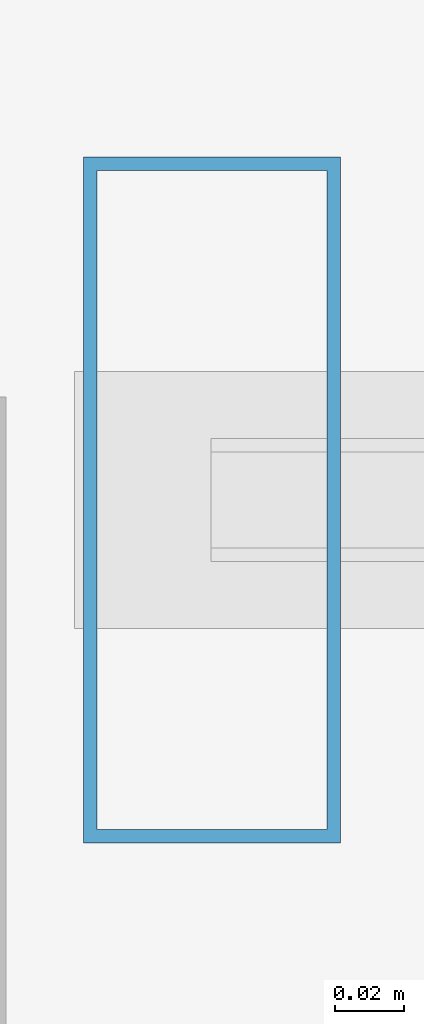
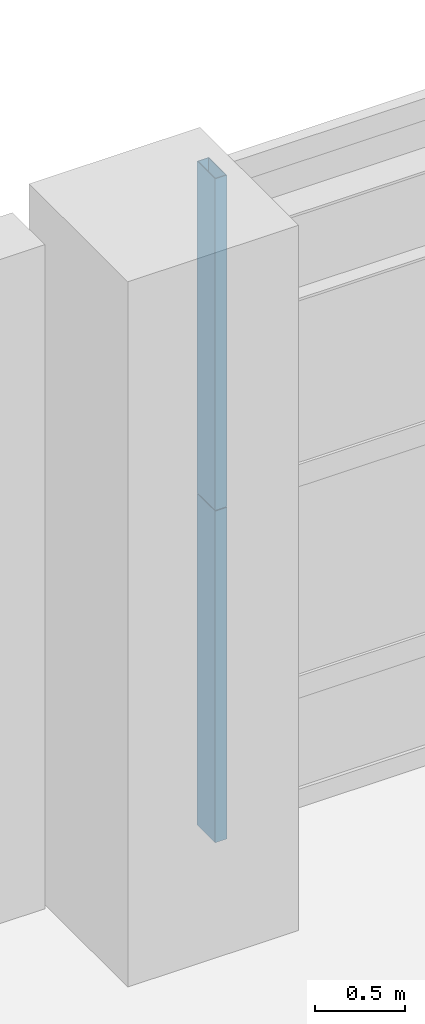
# One storey, part 19 of 39: 2 members, 1 element without a shape of its own.
"""IFC4 building model written with IfcOpenShell, lengths in metres."""

from ifc_helpers import new_model, si_unit, direction, frame, origin, origin_2d, place, context, subcontext, project, spatial, hollow_rectangle, extrude, source, transform, mapped, material, layer, layer_set, material_profile, profile_set, type_object, element, aggregate, save


model = new_model("IFC4")

# Units and contexts
model_context = context("Model", 3, precision=1e-05, world=origin(), true_north=direction((0.0, 1.0)))
body_context = subcontext(model_context, "Body", "Model", "MODEL_VIEW")
ifc_project = project(units=[si_unit("LENGTHUNIT", "METRE"), si_unit("AREAUNIT", "SQUARE_METRE"), si_unit("VOLUMEUNIT", "CUBIC_METRE"), si_unit("PLANEANGLEUNIT", "RADIAN"), si_unit("MASSUNIT", "GRAM", prefix="KILO"), si_unit("THERMODYNAMICTEMPERATUREUNIT", "KELVIN"), si_unit("POWERUNIT", "WATT")], contexts=[model_context])

# Site, building, storey
site_placement = place(None, origin())
site = spatial("IfcSite", under=ifc_project, at=site_placement, CompositionType="ELEMENT")
building_placement = place(site_placement, origin())
building = spatial("IfcBuilding", under=site, at=building_placement, Name="Yuzanri Waterfront Tower", CompositionType="ELEMENT")
storey_placement = place(building_placement, frame((0.0, 0.0, 15.0)))
storey = spatial("IfcBuildingStorey", under=building, at=storey_placement, Name="L04", CompositionType="ELEMENT", Elevation=15.0)

# Curtain wall, members
ifc_material_1 = material(Name="Anodized Architectural Bronze", Category="metal")
ifc_layer = layer(ifc_material_1, 0.159912109375)
ifc_layer_set = layer_set([ifc_layer], Name="Anodized Architectural Bronze")
curtain_wall_type = type_object("IfcCurtainWallType", Name="Anodized Bronze Podium Waterfront Double-Height Unitized Curtain Wall 8400", PredefinedType="NOTDEFINED", material=ifc_layer_set)
curtain_wall_placement = place(storey_placement, origin())
curtain_wall = element("IfcCurtainWall", 1, at=curtain_wall_placement, inside=storey, type_object=curtain_wall_type, Name="L04 Curtain Wall CW-L04-N1", PredefinedType="NOTDEFINED")
ifc_material_2 = material(Name="Anodized Architectural Bronze", Category="metal")
ifc_material_profile = material_profile(ifc_material_2, hollow_rectangle(XDim=0.074951171875, YDim=0.199951171875, WallThickness=0.00390625, at=origin_2d()), Name="CWM 75x200")
ifc_profile_set = profile_set([ifc_material_profile], Name="Anodized Architectural Bronze")
member_type = type_object("IfcMemberType", Name="Anodized Bronze Primary Curtain-Wall Mullion 75x200", PredefinedType="MULLION", material=ifc_profile_set)
shared_shape = source(origin(), body_context, "Body", "SweptSolid", [
    extrude(hollow_rectangle(XDim=0.074951171875, YDim=0.199951171875, WallThickness=0.00390625, at=origin_2d()), origin(), (0.0, 0.0, 1.0), 2.258056640625),
])
member_1_placement = place(storey_placement, frame((16.110107421875, 49.6201171875, 0.0), z_axis=(0.0, 0.0, 1.0), x_axis=(1.0, 0.0, 0.0)))
member_1 = element("IfcMember", 2, at=member_1_placement, type_object=member_type, Name="CW-L04-N1 Lower Mullion 00", PredefinedType="MULLION", context=body_context, shape_type="MappedRepresentation", body=[
    mapped(shared_shape, transform((0.0, 0.0, 0.0), scale=1.0)),
])
member_2_placement = place(storey_placement, frame((16.110107421875, 49.6201171875, 2.261962890625), z_axis=(0.0, 0.0, 1.0), x_axis=(1.0, 0.0, 0.0)))
member_2 = element("IfcMember", 3, at=member_2_placement, type_object=member_type, Name="CW-L04-N1 Upper Mullion 00", PredefinedType="MULLION", context=body_context, shape_type="MappedRepresentation", body=[
    mapped(shared_shape, transform((0.0, 0.0, 0.0), scale=1.0)),
])
aggregate(curtain_wall, [member_1, member_2])

save(model, "model.ifc")
